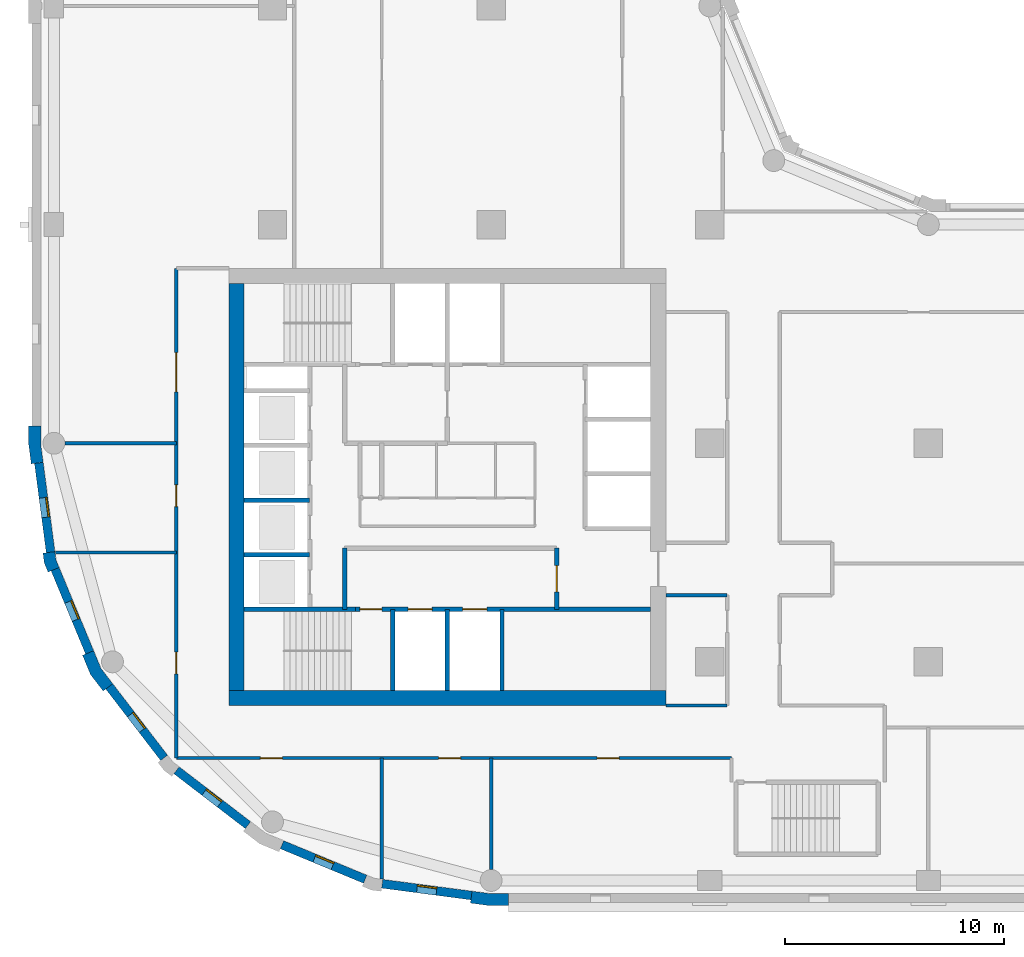
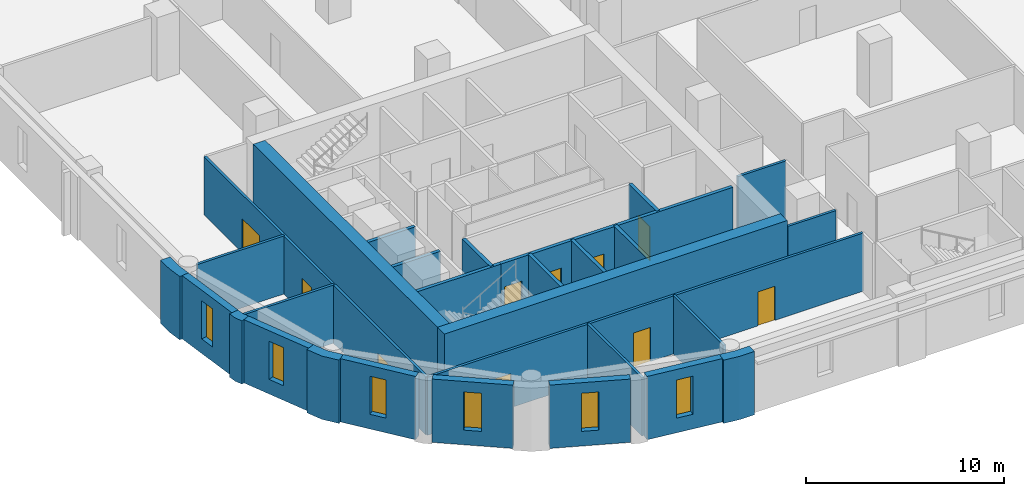
# One storey, part 2 of 9: 29 walls, 10 doors, 6 windows, 16 openings.
"""IFC4 building model written with IfcOpenShell, lengths in metres."""

import ifcopenshell
import ifcopenshell.guid

model = None  # the IFC model being written
_history = None  # IfcOwnerHistory: only IFC2X3 demands one
_inside = {}  # id of a spatial element -> (the spatial element, [elements in it])
_under = {}  # id of a project, library or spatial element -> (it, [spatial elements below it])
_declared = {}  # id of a project -> (the project, [libraries it declares])
_typed = {}  # id of a type object -> (the type object, [elements of that type])
_made_of = {}  # id of a material, layer set ... -> (it, [elements and type objects made of it])


def new_model(schema):
    """Start an empty IFC model of exactly this schema.

    Asked for "IFC4X3", IfcOpenShell would pick the latest addendum, in which some entities
    have other attributes; the version numbers below select the first issue.
    IFC2X3 requires an IfcOwnerHistory on every rooted entity: one is made here for all.
    """
    global model, _history
    if schema == "IFC4X3":
        model = ifcopenshell.file(schema_version=(4, 3, 0, 0))
    else:
        model = ifcopenshell.file(schema=schema)
    _inside.clear()
    _under.clear()
    _declared.clear()
    _typed.clear()
    _made_of.clear()
    _history = None
    if model.schema == "IFC2X3":
        org = make("IfcOrganization", Name="unknown")
        user = make(
            "IfcPersonAndOrganization",
            ThePerson=make("IfcPerson", FamilyName="unknown"),
            TheOrganization=org,
        )
        app = make(
            "IfcApplication",
            ApplicationDeveloper=org,
            Version="unknown",
            ApplicationFullName="unknown",
            ApplicationIdentifier="unknown",
        )
        _history = make(
            "IfcOwnerHistory",
            OwningUser=user,
            OwningApplication=app,
            ChangeAction="ADDED",
            CreationDate=0,
        )
    return model


def make(cls, **values):
    """One entity of the class cls with the attributes given. An attribute that is None is left unset."""
    return model.create_entity(
        cls, **{name: value for name, value in values.items() if value is not None}
    )


def rooted(cls, **values):
    """An entity with a GlobalId (a new one), such as an element, a storey or a relation."""
    return make(cls, GlobalId=ifcopenshell.guid.new(), OwnerHistory=_history, **values)


def si_unit(unit_type, name, prefix=None):
    """IfcSIUnit, for example si_unit("LENGTHUNIT", "METRE", prefix="MILLI")."""
    return make("IfcSIUnit", UnitType=unit_type, Prefix=prefix, Name=name)


def assignment(units):
    """IfcUnitAssignment: the units of a project."""
    return None if units is None else make("IfcUnitAssignment", Units=units)


def point(xyz):
    """IfcCartesianPoint."""
    return None if xyz is None else make("IfcCartesianPoint", Coordinates=xyz)


def direction(xyz):
    """IfcDirection."""
    return None if xyz is None else make("IfcDirection", DirectionRatios=xyz)


def frame(location, z_axis=None, x_axis=None):
    """IfcAxis2Placement3D, a coordinate frame: its origin and axes. An axis left out is left unset."""
    return make(
        "IfcAxis2Placement3D",
        Location=point(location),
        Axis=direction(z_axis),
        RefDirection=direction(x_axis),
    )


def frame_2d(location, x_axis=None):
    """IfcAxis2Placement2D, a coordinate frame in the plane: its origin and x axis."""
    return make(
        "IfcAxis2Placement2D", Location=point(location), RefDirection=direction(x_axis)
    )


def origin():
    """The frame at (0, 0, 0) with its axes left unset."""
    return frame((0.0, 0.0, 0.0))


def place(relative_to, where):
    """IfcLocalPlacement: puts the frame where relative to a parent placement (None: the world)."""
    return make(
        "IfcLocalPlacement", PlacementRelTo=relative_to, RelativePlacement=where
    )


def context(
    kind, dimensions, precision=None, world=None, true_north=None, identifier=None
):
    """IfcGeometricRepresentationContext, for example the 3D "Model" context."""
    return make(
        "IfcGeometricRepresentationContext",
        ContextIdentifier=identifier,
        ContextType=kind,
        CoordinateSpaceDimension=dimensions,
        Precision=precision,
        WorldCoordinateSystem=world,
        TrueNorth=true_north,
    )


def subcontext(parent, identifier, kind, view, scale=None):
    """IfcGeometricRepresentationSubContext, for example "Body" below "Model"."""
    return make(
        "IfcGeometricRepresentationSubContext",
        ContextIdentifier=identifier,
        ContextType=kind,
        ParentContext=parent,
        TargetScale=scale,
        TargetView=view,
    )


def project(units=None, contexts=None):
    """IfcProject with its units and contexts."""
    return rooted(
        "IfcProject",
        Name="project",
        RepresentationContexts=contexts,
        UnitsInContext=assignment(units),
    )


def spatial(cls, under=None, at=None, **own):
    """A site, building, storey or space (cls), placed at a placement, below another one or the project."""
    s = rooted(cls, ObjectPlacement=at, **own)
    if under is not None:
        _under.setdefault(under.id(), (under, []))[1].append(s)
    return s


def polyline(points):
    """IfcPolyline through the points."""
    return make("IfcPolyline", Points=[point(p) for p in points])


def profile(cls, at=None, kind="AREA", **sizes):
    """A parametric profile (cls). Its sizes go by their IFC names, for example OverallWidth=200.0."""
    return make(cls, ProfileType=kind, Position=at, **sizes)


def rectangle(**sizes):
    """IfcRectangleProfileDef."""
    return profile("IfcRectangleProfileDef", **sizes)


def outline(outer, holes=None, kind="AREA"):
    """IfcArbitraryClosedProfileDef: a profile drawn as a closed curve; with holes, ...WithVoids."""
    if holes is None:
        return make("IfcArbitraryClosedProfileDef", ProfileType=kind, OuterCurve=outer)
    return make(
        "IfcArbitraryProfileDefWithVoids",
        ProfileType=kind,
        OuterCurve=outer,
        InnerCurves=holes,
    )


def extrude(swept, where, along, depth):
    """IfcExtrudedAreaSolid: the profile swept, set in the frame where, extruded along a direction by depth."""
    return make(
        "IfcExtrudedAreaSolid",
        SweptArea=swept,
        Position=where,
        ExtrudedDirection=direction(along),
        Depth=depth,
    )


def shape(context_of_items, identifier, shape_type, items):
    """IfcShapeRepresentation: the items that make up one representation, for example the "Body"."""
    return make(
        "IfcShapeRepresentation",
        ContextOfItems=context_of_items,
        RepresentationIdentifier=identifier,
        RepresentationType=shape_type,
        Items=items,
    )


def material(Name=None, Category=None):
    """IfcMaterial."""
    return make("IfcMaterial", Name=Name, Category=Category)


def layer(
    of_material, thickness, ventilated=None, Name=None, Category=None, Priority=None
):
    """IfcMaterialLayer: one layer of a wall or slab, of a material (None: an air gap)."""
    return make(
        "IfcMaterialLayer",
        Material=of_material,
        LayerThickness=thickness,
        IsVentilated=ventilated,
        Name=Name,
        Category=Category,
        Priority=Priority,
    )


def layer_set(layers, Name=None):
    """IfcMaterialLayerSet."""
    return make("IfcMaterialLayerSet", MaterialLayers=layers, LayerSetName=Name)


def made_of(thing, what):
    """Note that an element or type object is made of a material, layer set ...; save() writes the relation."""
    if what is not None:
        _made_of.setdefault(what.id(), (what, []))[1].append(thing)
    return thing


def type_object(cls, material=None, **own):
    """A type object (cls), such as IfcWallType, which elements share."""
    return made_of(rooted(cls, **own), material)


def element(
    cls,
    number,
    at=None,
    inside=None,
    cuts=None,
    type_object=None,
    material=None,
    context=None,
    identifier="Body",
    shape_type=None,
    held_by="IfcProductDefinitionShape",
    body=None,
    shapes=None,
    **own,
):
    """One element of the class cls, such as IfcWall. Its Tag is "e" and its number.

    at: its placement. inside: the storey or other place that contains it. cuts: it is an
    opening in that element (IfcRelVoidsElement). A single representation is given by context,
    identifier, shape_type and body (its items); several are given by shapes. held_by: the class
    of the entity that holds the representations. save() writes the other relations.
    """
    e = rooted(cls, Tag="e%d" % number, ObjectPlacement=at, **own)
    if body is not None:
        shapes = [shape(context, identifier, shape_type, body)]
    if shapes is not None:
        e.Representation = make(held_by, Representations=shapes)
    if inside is not None:
        _inside.setdefault(inside.id(), (inside, []))[1].append(e)
    if cuts is not None:
        rooted(
            "IfcRelVoidsElement", RelatingBuildingElement=cuts, RelatedOpeningElement=e
        )
    if type_object is not None:
        _typed.setdefault(type_object.id(), (type_object, []))[1].append(e)
    return made_of(e, material)


def fill(opening, filler):
    """IfcRelFillsElement: the door or window that sits in an opening."""
    return rooted(
        "IfcRelFillsElement",
        RelatingOpeningElement=opening,
        RelatedBuildingElement=filler,
    )


def aggregate(whole, parts):
    """IfcRelAggregates: a whole, such as a stair, and the parts it consists of."""
    return rooted("IfcRelAggregates", RelatingObject=whole, RelatedObjects=parts)


def save(model, path):
    """Write the relations noted so far, then the file.

    IfcRelAggregates (storeys below a building ...), IfcRelContainedInSpatialStructure (elements
    in a storey), IfcRelDefinesByType, IfcRelAssociatesMaterial and IfcRelDeclares: one each for
    every whole, place, type object, material and project.
    """
    for whole, parts in _under.values():
        aggregate(whole, parts)
    for where, things in _inside.values():
        rooted(
            "IfcRelContainedInSpatialStructure",
            RelatedElements=things,
            RelatingStructure=where,
        )
    for kind, things in _typed.values():
        rooted("IfcRelDefinesByType", RelatedObjects=things, RelatingType=kind)
    for what, things in _made_of.values():
        rooted("IfcRelAssociatesMaterial", RelatedObjects=things, RelatingMaterial=what)
    for by, libraries in _declared.values():
        rooted("IfcRelDeclares", RelatingContext=by, RelatedDefinitions=libraries)
    model.write(path)


model = new_model("IFC4")

# Units and contexts
model_context = context("Model", 3, precision=1e-05, world=origin(), true_north=direction((0.0, 1.0)))
body_context = subcontext(model_context, "Body", "Model", "MODEL_VIEW")
ifc_project = project(units=[si_unit("LENGTHUNIT", "METRE"), si_unit("AREAUNIT", "SQUARE_METRE"), si_unit("VOLUMEUNIT", "CUBIC_METRE"), si_unit("PLANEANGLEUNIT", "RADIAN"), si_unit("MASSUNIT", "GRAM", prefix="KILO")], contexts=[model_context])

# Site, building, storey
site_placement = place(None, origin())
site = spatial("IfcSite", under=ifc_project, at=site_placement, CompositionType="ELEMENT")
building_placement = place(site_placement, origin())
building = spatial("IfcBuilding", under=site, at=building_placement, Name="Qaws Garden Tower", CompositionType="ELEMENT")
storey_placement = place(building_placement, frame((0.0, 0.0, 135.60009765625)))
storey = spatial("IfcBuildingStorey", under=building, at=storey_placement, Name="L32", CompositionType="ELEMENT", Elevation=135.60009765625)

# Wall, opening, window
ifc_material_1 = material(Name="Clay facing brick masonry", Category="masonry")
ifc_layer_1 = layer(ifc_material_1, 0.39990234375)
ifc_layer_set_1 = layer_set([ifc_layer_1], Name="Clay facing brick masonry")
wall_type_1 = type_object("IfcWallType", Name="Brick infill wall 400", PredefinedType="SOLIDWALL", material=ifc_layer_set_1)
wall_1_placement = place(storey_placement, frame((-0.688720703125, 19.102294921875, 0.0), z_axis=(0.0, 0.0, 1.0), x_axis=(0.130514280502, -0.991446429508, 0.0)))
wall_1 = element("IfcWall", 1, at=wall_1_placement, inside=storey, type_object=wall_type_1, Name="E-L32-infill-25", PredefinedType="SOLIDWALL", context=body_context, shape_type="SweptSolid", body=[
    extrude(rectangle(XDim=4.120849609375, YDim=0.39990234375, at=frame_2d((2.060546875, 0.0))), origin(), (0.0, 0.0, 1.0), 3.89990234375),
])
opening_1_placement = place(wall_1_placement, frame((1.610595703125, 0.0, 0.89990234375)))
opening_1 = element("IfcOpeningElement", 2, at=opening_1_placement, cuts=wall_1, Name="Opening W09", PredefinedType="OPENING", context=body_context, shape_type="SweptSolid", body=[
    extrude(rectangle(XDim=0.89990234375, YDim=2.35009765625, at=frame_2d((0.449951171875, 1.175048828125))), frame((0.0, 0.2099609375, 0.0), z_axis=(0.0, -1.0, 0.0), x_axis=(1.0, 0.0, 0.0)), (0.0, 0.0, 1.0), 0.419921875),
])
ifc_material_2 = material(Name="Aluminium framed window, clear glazing", Category="aluminium")
window_type = type_object("IfcWindowType", Name="Slit window 900 x 2350", PartitioningType="SINGLE_PANEL", PredefinedType="WINDOW", material=ifc_material_2)
window_1_placement = place(opening_1_placement, origin())
window_1 = element("IfcWindow", 3, at=window_1_placement, inside=storey, type_object=window_type, Name="E-L32-window-25-0", OverallHeight=2.35009765625, OverallWidth=0.89990234375, PartitioningType="SINGLE_PANEL", PredefinedType="WINDOW", context=body_context, shape_type="SweptSolid", body=[
    extrude(rectangle(XDim=0.89990234375, YDim=2.35009765625, at=frame_2d((0.449951171875, 1.175048828125))), frame((0.0, 0.159912109375, 0.0), z_axis=(0.0, -1.0, 0.0), x_axis=(1.0, 0.0, 0.0)), (0.0, 0.0, 1.0), 0.06005859375),
])
fill(opening_1, window_1)

wall_2_placement = place(storey_placement, frame((0.05712890625, 14.240234375, 0.0), z_axis=(0.0, 0.0, 1.0), x_axis=(0.382721546029, -0.923863744394, 0.0)))
wall_2 = element("IfcWall", 4, at=wall_2_placement, inside=storey, type_object=wall_type_1, Name="E-L32-infill-26", PredefinedType="SOLIDWALL", context=body_context, shape_type="SweptSolid", body=[
    extrude(rectangle(XDim=4.120849609375, YDim=0.39990234375, at=frame_2d((2.060546875, 0.0))), origin(), (0.0, 0.0, 1.0), 3.89990234375),
])
opening_2_placement = place(wall_2_placement, frame((1.610595703125, 0.0, 0.89990234375)))
opening_2 = element("IfcOpeningElement", 5, at=opening_2_placement, cuts=wall_2, Name="Opening W09", PredefinedType="OPENING", context=body_context, shape_type="SweptSolid", body=[
    extrude(rectangle(XDim=0.89990234375, YDim=2.35009765625, at=frame_2d((0.449951171875, 1.175048828125))), frame((0.0, 0.2099609375, 0.0), z_axis=(0.0, -1.0, 0.0), x_axis=(1.0, 0.0, 0.0)), (0.0, 0.0, 1.0), 0.419921875),
])
window_2_placement = place(opening_2_placement, origin())
window_2 = element("IfcWindow", 6, at=window_2_placement, inside=storey, type_object=window_type, Name="E-L32-window-26-0", OverallHeight=2.35009765625, OverallWidth=0.89990234375, PartitioningType="SINGLE_PANEL", PredefinedType="WINDOW", context=body_context, shape_type="SweptSolid", body=[
    extrude(rectangle(XDim=0.89990234375, YDim=2.35009765625, at=frame_2d((0.449951171875, 1.175048828125))), frame((0.0, 0.159912109375, 0.0), z_axis=(0.0, -1.0, 0.0), x_axis=(1.0, 0.0, 0.0)), (0.0, 0.0, 1.0), 0.06005859375),
])
fill(opening_2, window_2)

wall_3_placement = place(storey_placement, frame((2.53173828125, 8.87841796875, 0.0), z_axis=(0.0, 0.0, 1.0), x_axis=(0.608759824817, -0.793354571229, 0.0)))
wall_3 = element("IfcWall", 7, at=wall_3_placement, inside=storey, type_object=wall_type_1, Name="E-L32-infill-27", PredefinedType="SOLIDWALL", context=body_context, shape_type="SweptSolid", body=[
    extrude(rectangle(XDim=4.12109375, YDim=0.39990234375, at=frame_2d((2.060546875, 0.0))), origin(), (0.0, 0.0, 1.0), 3.89990234375),
])
opening_3_placement = place(wall_3_placement, frame((1.610595703125, 0.0, 0.89990234375)))
opening_3 = element("IfcOpeningElement", 8, at=opening_3_placement, cuts=wall_3, Name="Opening W09", PredefinedType="OPENING", context=body_context, shape_type="SweptSolid", body=[
    extrude(rectangle(XDim=0.89990234375, YDim=2.35009765625, at=frame_2d((0.449951171875, 1.175048828125))), frame((0.0, 0.2099609375, 0.0), z_axis=(0.0, -1.0, 0.0), x_axis=(1.0, 0.0, 0.0)), (0.0, 0.0, 1.0), 0.419921875),
])
window_3_placement = place(opening_3_placement, origin())
window_3 = element("IfcWindow", 9, at=window_3_placement, inside=storey, type_object=window_type, Name="E-L32-window-27-0", OverallHeight=2.35009765625, OverallWidth=0.89990234375, PartitioningType="SINGLE_PANEL", PredefinedType="WINDOW", context=body_context, shape_type="SweptSolid", body=[
    extrude(rectangle(XDim=0.89990234375, YDim=2.35009765625, at=frame_2d((0.449951171875, 1.175048828125))), frame((0.0, 0.159912109375, 0.0), z_axis=(0.0, -1.0, 0.0), x_axis=(1.0, 0.0, 0.0)), (0.0, 0.0, 1.0), 0.06005859375),
])
fill(opening_3, window_3)

wall_4_placement = place(storey_placement, frame((5.60888671875, 5.04052734375, 0.0), z_axis=(0.0, 0.0, 1.0), x_axis=(0.793354571229, -0.608759824817, 0.0)))
wall_4 = element("IfcWall", 10, at=wall_4_placement, inside=storey, type_object=wall_type_1, Name="E-L32-infill-28", PredefinedType="SOLIDWALL", context=body_context, shape_type="SweptSolid", body=[
    extrude(rectangle(XDim=4.12109375, YDim=0.39990234375, at=frame_2d((2.060546875, 0.0))), origin(), (0.0, 0.0, 1.0), 3.89990234375),
])
opening_4_placement = place(wall_4_placement, frame((1.610595703125, 0.0, 0.89990234375)))
opening_4 = element("IfcOpeningElement", 11, at=opening_4_placement, cuts=wall_4, Name="Opening W09", PredefinedType="OPENING", context=body_context, shape_type="SweptSolid", body=[
    extrude(rectangle(XDim=0.89990234375, YDim=2.35009765625, at=frame_2d((0.449951171875, 1.175048828125))), frame((0.0, 0.2099609375, 0.0), z_axis=(0.0, -1.0, 0.0), x_axis=(1.0, 0.0, 0.0)), (0.0, 0.0, 1.0), 0.419921875),
])
window_4_placement = place(opening_4_placement, origin())
window_4 = element("IfcWindow", 12, at=window_4_placement, inside=storey, type_object=window_type, Name="E-L32-window-28-0", OverallHeight=2.35009765625, OverallWidth=0.89990234375, PartitioningType="SINGLE_PANEL", PredefinedType="WINDOW", context=body_context, shape_type="SweptSolid", body=[
    extrude(rectangle(XDim=0.89990234375, YDim=2.35009765625, at=frame_2d((0.449951171875, 1.175048828125))), frame((0.0, 0.159912109375, 0.0), z_axis=(0.0, -1.0, 0.0), x_axis=(1.0, 0.0, 0.0)), (0.0, 0.0, 1.0), 0.06005859375),
])
fill(opening_4, window_4)

wall_5_placement = place(storey_placement, frame((10.43310546875, 1.63427734375, 0.0), z_axis=(0.0, 0.0, 1.0), x_axis=(0.923863744394, -0.382721546029, 0.0)))
wall_5 = element("IfcWall", 13, at=wall_5_placement, inside=storey, type_object=wall_type_1, Name="E-L32-infill-29", PredefinedType="SOLIDWALL", context=body_context, shape_type="SweptSolid", body=[
    extrude(rectangle(XDim=4.120849609375, YDim=0.39990234375, at=frame_2d((2.060546875, 0.0))), origin(), (0.0, 0.0, 1.0), 3.89990234375),
])
opening_5_placement = place(wall_5_placement, frame((1.610595703125, 0.0, 0.89990234375)))
opening_5 = element("IfcOpeningElement", 14, at=opening_5_placement, cuts=wall_5, Name="Opening W09", PredefinedType="OPENING", context=body_context, shape_type="SweptSolid", body=[
    extrude(rectangle(XDim=0.89990234375, YDim=2.35009765625, at=frame_2d((0.449951171875, 1.175048828125))), frame((0.0, 0.2099609375, 0.0), z_axis=(0.0, -1.0, 0.0), x_axis=(1.0, 0.0, 0.0)), (0.0, 0.0, 1.0), 0.419921875),
])
window_5_placement = place(opening_5_placement, origin())
window_5 = element("IfcWindow", 15, at=window_5_placement, inside=storey, type_object=window_type, Name="E-L32-window-29-0", OverallHeight=2.35009765625, OverallWidth=0.89990234375, PartitioningType="SINGLE_PANEL", PredefinedType="WINDOW", context=body_context, shape_type="SweptSolid", body=[
    extrude(rectangle(XDim=0.89990234375, YDim=2.35009765625, at=frame_2d((0.449951171875, 1.175048828125))), frame((0.0, 0.159912109375, 0.0), z_axis=(0.0, -1.0, 0.0), x_axis=(1.0, 0.0, 0.0)), (0.0, 0.0, 1.0), 0.06005859375),
])
fill(opening_5, window_5)

wall_6_placement = place(storey_placement, frame((15.0166015625, -0.15087890625, 0.0), z_axis=(0.0, 0.0, 1.0), x_axis=(0.991446429508, -0.130514280502, 0.0)))
wall_6 = element("IfcWall", 16, at=wall_6_placement, inside=storey, type_object=wall_type_1, Name="E-L32-infill-30", PredefinedType="SOLIDWALL", context=body_context, shape_type="SweptSolid", body=[
    extrude(rectangle(XDim=4.120849609375, YDim=0.39990234375, at=frame_2d((2.060546875, 0.0))), origin(), (0.0, 0.0, 1.0), 3.89990234375),
])
opening_6_placement = place(wall_6_placement, frame((1.610595703125, 0.0, 0.89990234375)))
opening_6 = element("IfcOpeningElement", 17, at=opening_6_placement, cuts=wall_6, Name="Opening W09", PredefinedType="OPENING", context=body_context, shape_type="SweptSolid", body=[
    extrude(rectangle(XDim=0.89990234375, YDim=2.35009765625, at=frame_2d((0.449951171875, 1.175048828125))), frame((0.0, 0.2099609375, 0.0), z_axis=(0.0, -1.0, 0.0), x_axis=(1.0, 0.0, 0.0)), (0.0, 0.0, 1.0), 0.419921875),
])
window_6_placement = place(opening_6_placement, origin())
window_6 = element("IfcWindow", 18, at=window_6_placement, inside=storey, type_object=window_type, Name="E-L32-window-30-0", OverallHeight=2.35009765625, OverallWidth=0.89990234375, PartitioningType="SINGLE_PANEL", PredefinedType="WINDOW", context=body_context, shape_type="SweptSolid", body=[
    extrude(rectangle(XDim=0.89990234375, YDim=2.35009765625, at=frame_2d((0.449951171875, 1.175048828125))), frame((0.0, 0.159912109375, 0.0), z_axis=(0.0, -1.0, 0.0), x_axis=(1.0, 0.0, 0.0)), (0.0, 0.0, 1.0), 0.06005859375),
])
fill(opening_6, window_6)

# Walls
ifc_material_3 = material(Name="Clay facing brick masonry", Category="masonry")
ifc_layer_2 = layer(ifc_material_3, 0.550048828125)
ifc_layer_set_2 = layer_set([ifc_layer_2], Name="Clay facing brick masonry")
wall_type_2 = type_object("IfcWallType", Name="Brick kink pier 550 x 600", PredefinedType="SOLIDWALL", material=ifc_layer_set_2)
placement = place(storey_placement, origin())
element("IfcWall", 19, at=placement, inside=storey, type_object=wall_type_2, Name="E-L32-pier-26", PredefinedType="SOLIDWALL", context=body_context, shape_type="SweptSolid", body=[
    extrude(outline(polyline([(-0.34912109375, 14.990478515625), (-0.497802734375, 14.970947265625), (-0.43896484375, 14.5234375), (-0.26611328125, 14.1064453125), (-0.127685546875, 14.163818359375), (0.241943359375, 14.31689453125), (0.096923828125, 14.6669921875), (0.04736328125, 15.042724609375), (-0.34912109375, 14.990478515625)])), origin(), (0.0, 0.0, 1.0), 3.89990234375),
])
ifc_material_4 = material(Name="Clay facing brick masonry", Category="masonry")
ifc_layer_3 = layer(ifc_material_4, 0.550048828125)
ifc_layer_set_3 = layer_set([ifc_layer_3], Name="Clay facing brick masonry")
wall_type_3 = type_object("IfcWallType", Name="Brick pier 550 x 1600", PredefinedType="SOLIDWALL", material=ifc_layer_set_3)
element("IfcWall", 20, at=placement, inside=storey, type_object=wall_type_3, Name="E-L32-pier-00", PredefinedType="SOLIDWALL", context=body_context, shape_type="SweptSolid", body=[
    extrude(outline(polyline([(19.076416015625, -0.886962890625), (19.056640625, -1.03564453125), (19.924560546875, -1.14990234375), (20.800048828125, -1.14990234375), (20.800048828125, -1.0), (20.800048828125, -0.60009765625), (19.960693359375, -0.60009765625), (19.12841796875, -0.490478515625), (19.076416015625, -0.886962890625)])), origin(), (0.0, 0.0, 1.0), 3.89990234375),
])
element("IfcWall", 21, at=placement, inside=storey, type_object=wall_type_3, Name="E-L32-pier-25", PredefinedType="SOLIDWALL", context=body_context, shape_type="SweptSolid", body=[
    extrude(outline(polyline([(-1.0, 20.800048828125), (-1.14990234375, 20.800048828125), (-1.14990234375, 19.924560546875), (-1.03564453125, 19.056640625), (-0.886962890625, 19.076416015625), (-0.490478515625, 19.12841796875), (-0.60009765625, 19.960693359375), (-0.60009765625, 20.800048828125), (-1.0, 20.800048828125)])), origin(), (0.0, 0.0, 1.0), 3.89990234375),
])
element("IfcWall", 22, at=placement, inside=storey, type_object=wall_type_3, Name="E-L32-pier-27", PredefinedType="SOLIDWALL", context=body_context, shape_type="SweptSolid", body=[
    extrude(outline(polyline([(1.449462890625, 10.3564453125), (1.310791015625, 10.299072265625), (1.675048828125, 9.419921875), (2.254150390625, 8.665283203125), (2.373046875, 8.756591796875), (2.6904296875, 9.0), (2.1552734375, 9.697509765625), (1.819091796875, 10.509521484375), (1.449462890625, 10.3564453125)])), origin(), (0.0, 0.0, 1.0), 3.89990234375),
])
ifc_material_5 = material(Name="Concrete C70", Category="concrete")
ifc_layer_4 = layer(ifc_material_5, 0.199951171875)
ifc_layer_set_4 = layer_set([ifc_layer_4], Name="Concrete C70")
wall_type_4 = type_object("IfcWallType", Name="Core shaft wall 200 C70", PredefinedType="SHEAR", material=ifc_layer_set_4)
wall_11_placement = place(storey_placement, frame((8.699951171875, 12.39990234375, 0.0), z_axis=(0.0, 0.0, 1.0), x_axis=(1.0, 0.0, 0.0)))
element("IfcWall", 23, at=wall_11_placement, inside=storey, type_object=wall_type_4, Name="Shaft wall", PredefinedType="SHEAR", context=body_context, shape_type="SweptSolid", body=[
    extrude(rectangle(XDim=5.10009765625, YDim=0.199951171875, at=frame_2d((2.550048828125, 0.0))), origin(), (0.0, 0.0, 1.0), 3.579833984375),
])

# Wall, openings, doors
wall_12_placement = place(storey_placement, frame((13.800048828125, 12.39990234375, 0.0), z_axis=(0.0, 0.0, 1.0), x_axis=(1.0, 0.0, 0.0)))
wall_12 = element("IfcWall", 24, at=wall_12_placement, inside=storey, type_object=wall_type_4, Name="Shaft wall", PredefinedType="SHEAR", context=body_context, shape_type="SweptSolid", body=[
    extrude(rectangle(XDim=13.5, YDim=0.199951171875, at=frame_2d((6.75, 0.0))), origin(), (0.0, 0.0, 1.0), 3.579833984375),
])
opening_7_placement = place(wall_12_placement, frame((2.39990234375, 0.0, 0.0)))
opening_7 = element("IfcOpeningElement", 25, at=opening_7_placement, cuts=wall_12, Name="Opening LD06", PredefinedType="OPENING", context=body_context, shape_type="SweptSolid", body=[
    extrude(rectangle(XDim=1.10009765625, YDim=2.10009765625, at=frame_2d((0.550048828125, 1.050048828125))), frame((0.0, 0.10986328125, 0.0), z_axis=(0.0, -1.0, 0.0), x_axis=(1.0, 0.0, 0.0)), (0.0, 0.0, 1.0), 0.219970703125),
])
opening_8_placement = place(wall_12_placement, frame((4.89990234375, 0.0, 0.0)))
opening_8 = element("IfcOpeningElement", 26, at=opening_8_placement, cuts=wall_12, Name="Opening LD07", PredefinedType="OPENING", context=body_context, shape_type="SweptSolid", body=[
    extrude(rectangle(XDim=1.10009765625, YDim=2.10009765625, at=frame_2d((0.550048828125, 1.050048828125))), frame((0.0, 0.10986328125, 0.0), z_axis=(0.0, -1.0, 0.0), x_axis=(1.0, 0.0, 0.0)), (0.0, 0.0, 1.0), 0.219970703125),
])
opening_9_placement = place(wall_12_placement, frame((0.199951171875, 0.0, 0.0)))
opening_9 = element("IfcOpeningElement", 27, at=opening_9_placement, cuts=wall_12, Name="Opening SD10", PredefinedType="OPENING", context=body_context, shape_type="SweptSolid", body=[
    extrude(rectangle(XDim=1.0, YDim=2.10009765625, at=frame_2d((0.5, 1.050048828125))), frame((0.0, 0.10986328125, 0.0), z_axis=(0.0, -1.0, 0.0), x_axis=(1.0, 0.0, 0.0)), (0.0, 0.0, 1.0), 0.219970703125),
])
ifc_material_6 = material(Name="Steel S235", Category="steel")
door_type_1 = type_object("IfcDoorType", Name="Landing door 1100x2100", OperationType="DOUBLE_DOOR_SLIDING", PredefinedType="DOOR", material=ifc_material_6)
door_1_placement = place(opening_7_placement, origin())
door_1 = element("IfcDoor", 28, at=door_1_placement, inside=storey, type_object=door_type_1, Name="Lift FF1 landing door", OperationType="DOUBLE_DOOR_SLIDING", OverallHeight=2.10009765625, OverallWidth=1.10009765625, PredefinedType="DOOR", context=body_context, shape_type="SweptSolid", body=[
    extrude(rectangle(XDim=1.10009765625, YDim=2.10009765625, at=frame_2d((0.550048828125, 1.050048828125))), frame((0.0, 0.02490234375, 0.0), z_axis=(0.0, -1.0, 0.0), x_axis=(1.0, 0.0, 0.0)), (0.0, 0.0, 1.0), 0.050048828125),
])
fill(opening_7, door_1)
door_2_placement = place(opening_8_placement, origin())
door_2 = element("IfcDoor", 29, at=door_2_placement, inside=storey, type_object=door_type_1, Name="Lift FF2 landing door", OperationType="DOUBLE_DOOR_SLIDING", OverallHeight=2.10009765625, OverallWidth=1.10009765625, PredefinedType="DOOR", context=body_context, shape_type="SweptSolid", body=[
    extrude(rectangle(XDim=1.10009765625, YDim=2.10009765625, at=frame_2d((0.550048828125, 1.050048828125))), frame((0.0, 0.02490234375, 0.0), z_axis=(0.0, -1.0, 0.0), x_axis=(1.0, 0.0, 0.0)), (0.0, 0.0, 1.0), 0.050048828125),
])
fill(opening_8, door_2)
ifc_material_7 = material(Name="Steel S235", Category="steel")
door_type_2 = type_object("IfcDoorType", Name="Stair door 1000x2100", OperationType="SINGLE_SWING_RIGHT", PredefinedType="DOOR", material=ifc_material_7)
door_3_placement = place(opening_9_placement, frame((1.0, 0.0, 0.0), z_axis=(0.0, 0.0, 1.0), x_axis=(-1.0, 0.0, 0.0)))
door_3 = element("IfcDoor", 30, at=door_3_placement, inside=storey, type_object=door_type_2, Name="Stair 1 door", OperationType="SINGLE_SWING_LEFT", OverallHeight=2.10009765625, OverallWidth=1.0, PredefinedType="DOOR", context=body_context, shape_type="SweptSolid", body=[
    extrude(rectangle(XDim=1.0, YDim=2.10009765625, at=frame_2d((0.5, 1.050048828125))), frame((0.0, 0.02490234375, 0.0), z_axis=(0.0, -1.0, 0.0), x_axis=(1.0, 0.0, 0.0)), (0.0, 0.0, 1.0), 0.050048828125),
])
fill(opening_9, door_3)

# Walls
for number, where, z_axis, x_axis, name in (
    (31, (8.699951171875, 14.89990234375, 0.0), (0.0, 0.0, 1.0), (1.0, 0.0, 0.0), "Shaft wall"),
    (32, (8.699951171875, 17.39990234375, 0.0), (0.0, 0.0, 1.0), (1.0, 0.0, 0.0), "Shaft wall"),
):
    element("IfcWall", number, at=place(storey_placement, frame(where, z_axis=z_axis, x_axis=x_axis)), inside=storey, type_object=wall_type_4, Name=name, PredefinedType="SHEAR", context=body_context, shape_type="SweptSolid", body=[
        extrude(rectangle(XDim=3.0, YDim=0.199951171875, at=frame_2d((1.5, 0.0))), origin(), (0.0, 0.0, 1.0), 3.579833984375),
    ])
wall_13_placement = place(storey_placement, frame((13.300048828125, 12.39990234375, 0.0), z_axis=(0.0, 0.0, 1.0), x_axis=(0.0, 1.0, 0.0)))
element("IfcWall", 33, at=wall_13_placement, inside=storey, type_object=wall_type_4, Name="Shaft wall", PredefinedType="SHEAR", context=body_context, shape_type="SweptSolid", body=[
    extrude(rectangle(XDim=2.800048828125, YDim=0.199951171875, at=frame_2d((1.39990234375, 0.0))), origin(), (0.0, 0.0, 1.0), 3.579833984375),
])
for number, where, z_axis, x_axis, name in (
    (34, (15.5, 8.699951171875, 0.0), (0.0, 0.0, 1.0), (0.0, 1.0, 0.0), "Shaft wall"),
    (35, (18.0, 8.699951171875, 0.0), (0.0, 0.0, 1.0), (0.0, 1.0, 0.0), "Shaft wall"),
    (36, (20.5, 8.699951171875, 0.0), (0.0, 0.0, 1.0), (0.0, 1.0, 0.0), "Shaft wall"),
):
    element("IfcWall", number, at=place(storey_placement, frame(where, z_axis=z_axis, x_axis=x_axis)), inside=storey, type_object=wall_type_4, Name=name, PredefinedType="SHEAR", context=body_context, shape_type="SweptSolid", body=[
        extrude(rectangle(XDim=3.699951171875, YDim=0.199951171875, at=frame_2d((1.85009765625, 0.0))), origin(), (0.0, 0.0, 1.0), 3.579833984375),
    ])

# Wall, opening, door
wall_14_placement = place(storey_placement, frame((23.0, 12.39990234375, 0.0), z_axis=(0.0, 0.0, 1.0), x_axis=(0.0, 1.0, 0.0)))
wall_14 = element("IfcWall", 37, at=wall_14_placement, inside=storey, type_object=wall_type_4, Name="Shaft wall", PredefinedType="SHEAR", context=body_context, shape_type="SweptSolid", body=[
    extrude(rectangle(XDim=2.800048828125, YDim=0.199951171875, at=frame_2d((1.39990234375, 0.0))), origin(), (0.0, 0.0, 1.0), 3.579833984375),
])
opening_10_placement = place(wall_14_placement, frame((0.800048828125, 0.0, 0.0)))
opening_10 = element("IfcOpeningElement", 38, at=opening_10_placement, cuts=wall_14, Name="Opening FD15", PredefinedType="OPENING", context=body_context, shape_type="SweptSolid", body=[
    extrude(rectangle(XDim=1.199951171875, YDim=2.10009765625, at=frame_2d((0.60009765625, 1.050048828125))), frame((0.0, 0.10986328125, 0.0), z_axis=(0.0, -1.0, 0.0), x_axis=(1.0, 0.0, 0.0)), (0.0, 0.0, 1.0), 0.219970703125),
])
ifc_material_8 = material(Name="Steel S235", Category="steel")
door_type_3 = type_object("IfcDoorType", Name="Lobby door 1200x2100", OperationType="DOUBLE_DOOR_SINGLE_SWING", PredefinedType="DOOR", material=ifc_material_8)
door_4_placement = place(opening_10_placement, origin())
door_4 = element("IfcDoor", 39, at=door_4_placement, inside=storey, type_object=door_type_3, Name="Fire-fighting lobby door", OperationType="DOUBLE_DOOR_SINGLE_SWING", OverallHeight=2.10009765625, OverallWidth=1.199951171875, PredefinedType="DOOR", context=body_context, shape_type="SweptSolid", body=[
    extrude(rectangle(XDim=1.199951171875, YDim=2.10009765625, at=frame_2d((0.60009765625, 1.050048828125))), frame((0.0, 0.02490234375, 0.0), z_axis=(0.0, -1.0, 0.0), x_axis=(1.0, 0.0, 0.0)), (0.0, 0.0, 1.0), 0.050048828125),
])
fill(opening_10, door_4)

# Walls
ifc_material_9 = material(Name="Concrete C70", Category="concrete")
ifc_layer_5 = layer(ifc_material_9, 0.699951171875)
ifc_layer_set_5 = layer_set([ifc_layer_5], Name="Concrete C70")
wall_type_5 = type_object("IfcWallType", Name="Core wall 700 C70", PredefinedType="SHEAR", material=ifc_layer_set_5)
wall_15_placement = place(storey_placement, frame((8.0, 8.35009765625, 0.0), z_axis=(0.0, 0.0, 1.0), x_axis=(1.0, 0.0, 0.0)))
element("IfcWall", 40, at=wall_15_placement, inside=storey, type_object=wall_type_5, Name="Core wall L32 south", PredefinedType="SHEAR", context=body_context, shape_type="SweptSolid", body=[
    extrude(rectangle(XDim=20.0, YDim=0.699951171875, at=frame_2d((10.0, 0.0))), origin(), (0.0, 0.0, 1.0), 3.89990234375),
])
wall_16_placement = place(storey_placement, frame((8.35009765625, 27.300048828125, 0.0), z_axis=(0.0, 0.0, 1.0), x_axis=(0.0, -1.0, 0.0)))
element("IfcWall", 41, at=wall_16_placement, inside=storey, type_object=wall_type_5, Name="Core wall L32 west", PredefinedType="SHEAR", context=body_context, shape_type="SweptSolid", body=[
    extrude(rectangle(XDim=18.60009765625, YDim=0.699951171875, at=frame_2d((9.300048828125, 0.0))), origin(), (0.0, 0.0, 1.0), 3.89990234375),
])

# Wall, openings, doors
ifc_material_10 = material(Name="Gypsum board partition")
ifc_layer_6 = layer(ifc_material_10, 0.14990234375)
ifc_layer_set_6 = layer_set([ifc_layer_6], Name="Gypsum board partition")
wall_type_6 = type_object("IfcWallType", Name="PARTITION 150 EI 60", PredefinedType="PARTITIONING", material=ifc_layer_set_6)
wall_17_placement = place(storey_placement, frame((5.60009765625, 5.60009765625, 0.0), z_axis=(0.0, 0.0, 1.0), x_axis=(0.0, 1.0, 0.0)))
wall_17 = element("IfcWall", 42, at=wall_17_placement, inside=storey, type_object=wall_type_6, Name="O-L32-wall-004", PredefinedType="PARTITIONING", context=body_context, shape_type="SweptSolid", body=[
    extrude(rectangle(XDim=22.39990234375, YDim=0.14990234375, at=frame_2d((11.199951171875, 0.0))), origin(), (0.0, 0.0, 1.0), 3.579833984375),
])
opening_11_placement = place(wall_17_placement, frame((3.85009765625, 0.0, 0.0)))
opening_11 = element("IfcOpeningElement", 43, at=opening_11_placement, cuts=wall_17, Name="Opening B101", PredefinedType="OPENING", context=body_context, shape_type="SweptSolid", body=[
    extrude(rectangle(XDim=1.0, YDim=2.10009765625, at=frame_2d((0.5, 1.050048828125))), frame((0.0, 0.0849609375, 0.0), z_axis=(0.0, -1.0, 0.0), x_axis=(1.0, 0.0, 0.0)), (0.0, 0.0, 1.0), 0.169921875),
])
opening_12_placement = place(wall_17_placement, frame((11.5, 0.0, 0.0)))
opening_12 = element("IfcOpeningElement", 44, at=opening_12_placement, cuts=wall_17, Name="Opening B102", PredefinedType="OPENING", context=body_context, shape_type="SweptSolid", body=[
    extrude(rectangle(XDim=1.0, YDim=2.10009765625, at=frame_2d((0.5, 1.050048828125))), frame((0.0, 0.0849609375, 0.0), z_axis=(0.0, -1.0, 0.0), x_axis=(1.0, 0.0, 0.0)), (0.0, 0.0, 1.0), 0.169921875),
])
opening_13_placement = place(wall_17_placement, frame((16.75, 0.0, 0.0)))
opening_13 = element("IfcOpeningElement", 45, at=opening_13_placement, cuts=wall_17, Name="Opening B106", PredefinedType="OPENING", context=body_context, shape_type="SweptSolid", body=[
    extrude(rectangle(XDim=1.800048828125, YDim=2.10009765625, at=frame_2d((0.89990234375, 1.050048828125))), frame((0.0, 0.0849609375, 0.0), z_axis=(0.0, -1.0, 0.0), x_axis=(1.0, 0.0, 0.0)), (0.0, 0.0, 1.0), 0.169921875),
])
ifc_material_11 = material(Name="Timber door leaf", Category="wood")
door_type_4 = type_object("IfcDoorType", Name="DOUBLE DOOR 1800 X 2100", OperationType="DOUBLE_DOOR_SINGLE_SWING", PredefinedType="DOOR", material=ifc_material_11)
door_5_placement = place(opening_13_placement, origin())
door_5 = element("IfcDoor", 46, at=door_5_placement, inside=storey, type_object=door_type_4, Name="O-L32-door-006", OperationType="DOUBLE_DOOR_SINGLE_SWING", OverallHeight=2.10009765625, OverallWidth=1.800048828125, PredefinedType="DOOR", context=body_context, shape_type="SweptSolid", body=[
    extrude(rectangle(XDim=1.800048828125, YDim=2.10009765625, at=frame_2d((0.89990234375, 1.050048828125))), frame((0.0, 0.02490234375, 0.0), z_axis=(0.0, -1.0, 0.0), x_axis=(1.0, 0.0, 0.0)), (0.0, 0.0, 1.0), 0.050048828125),
])
fill(opening_13, door_5)
ifc_material_12 = material(Name="Timber door leaf", Category="wood")
door_type_5 = type_object("IfcDoorType", Name="TENANCY ENTRANCE DOOR 1000 X 2100", OperationType="SINGLE_SWING_LEFT", PredefinedType="DOOR", material=ifc_material_12)
door_6_placement = place(opening_11_placement, origin())
door_6 = element("IfcDoor", 47, at=door_6_placement, inside=storey, type_object=door_type_5, Name="O-L32-door-001", OperationType="SINGLE_SWING_RIGHT", OverallHeight=2.10009765625, OverallWidth=1.0, PredefinedType="DOOR", context=body_context, shape_type="SweptSolid", body=[
    extrude(rectangle(XDim=1.0, YDim=2.10009765625, at=frame_2d((0.5, 1.050048828125))), frame((0.0, 0.02490234375, 0.0), z_axis=(0.0, -1.0, 0.0), x_axis=(1.0, 0.0, 0.0)), (0.0, 0.0, 1.0), 0.050048828125),
])
fill(opening_11, door_6)
door_7_placement = place(opening_12_placement, origin())
door_7 = element("IfcDoor", 48, at=door_7_placement, inside=storey, type_object=door_type_5, Name="O-L32-door-002", OperationType="SINGLE_SWING_RIGHT", OverallHeight=2.10009765625, OverallWidth=1.0, PredefinedType="DOOR", context=body_context, shape_type="SweptSolid", body=[
    extrude(rectangle(XDim=1.0, YDim=2.10009765625, at=frame_2d((0.5, 1.050048828125))), frame((0.0, 0.02490234375, 0.0), z_axis=(0.0, -1.0, 0.0), x_axis=(1.0, 0.0, 0.0)), (0.0, 0.0, 1.0), 0.050048828125),
])
fill(opening_12, door_7)

# Walls
wall_18_placement = place(storey_placement, frame((15.0, 0.06298828125, 0.0), z_axis=(0.0, 0.0, 1.0), x_axis=(0.0, 1.0, 0.0)))
element("IfcWall", 49, at=wall_18_placement, inside=storey, type_object=wall_type_6, Name="O-L32-wall-008", PredefinedType="PARTITIONING", context=body_context, shape_type="SweptSolid", body=[
    extrude(rectangle(XDim=5.537109375, YDim=0.14990234375, at=frame_2d((2.7685546875, 0.0))), origin(), (0.0, 0.0, 1.0), 3.579833984375),
])
wall_19_placement = place(storey_placement, frame((20.0, 0.5, 0.0), z_axis=(0.0, 0.0, 1.0), x_axis=(0.0, 1.0, 0.0)))
element("IfcWall", 50, at=wall_19_placement, inside=storey, type_object=wall_type_6, Name="O-L32-wall-011", PredefinedType="PARTITIONING", context=body_context, shape_type="SweptSolid", body=[
    extrude(rectangle(XDim=5.10009765625, YDim=0.14990234375, at=frame_2d((2.550048828125, 0.0))), origin(), (0.0, 0.0, 1.0), 3.579833984375),
])

# Wall, openings, doors
wall_20_placement = place(storey_placement, frame((5.60009765625, 5.60009765625, 0.0), z_axis=(0.0, 0.0, 1.0), x_axis=(1.0, 0.0, 0.0)))
wall_20 = element("IfcWall", 51, at=wall_20_placement, inside=storey, type_object=wall_type_6, Name="O-L32-wall-025", PredefinedType="PARTITIONING", context=body_context, shape_type="SweptSolid", body=[
    extrude(rectangle(XDim=25.39990234375, YDim=0.14990234375, at=frame_2d((12.699951171875, 0.0))), origin(), (0.0, 0.0, 1.0), 3.579833984375),
])
opening_14_placement = place(wall_20_placement, frame((3.85009765625, 0.0, 0.0)))
opening_14 = element("IfcOpeningElement", 52, at=opening_14_placement, cuts=wall_20, Name="Opening B111", PredefinedType="OPENING", context=body_context, shape_type="SweptSolid", body=[
    extrude(rectangle(XDim=1.0, YDim=2.10009765625, at=frame_2d((0.5, 1.050048828125))), frame((0.0, 0.0849609375, 0.0), z_axis=(0.0, -1.0, 0.0), x_axis=(1.0, 0.0, 0.0)), (0.0, 0.0, 1.0), 0.169921875),
])
opening_15_placement = place(wall_20_placement, frame((12.0, 0.0, 0.0)))
opening_15 = element("IfcOpeningElement", 53, at=opening_15_placement, cuts=wall_20, Name="Opening B112", PredefinedType="OPENING", context=body_context, shape_type="SweptSolid", body=[
    extrude(rectangle(XDim=1.0, YDim=2.10009765625, at=frame_2d((0.5, 1.050048828125))), frame((0.0, 0.0849609375, 0.0), z_axis=(0.0, -1.0, 0.0), x_axis=(1.0, 0.0, 0.0)), (0.0, 0.0, 1.0), 0.169921875),
])
opening_16_placement = place(wall_20_placement, frame((19.25, 0.0, 0.0)))
opening_16 = element("IfcOpeningElement", 54, at=opening_16_placement, cuts=wall_20, Name="Opening B113", PredefinedType="OPENING", context=body_context, shape_type="SweptSolid", body=[
    extrude(rectangle(XDim=1.0, YDim=2.10009765625, at=frame_2d((0.5, 1.050048828125))), frame((0.0, 0.0849609375, 0.0), z_axis=(0.0, -1.0, 0.0), x_axis=(1.0, 0.0, 0.0)), (0.0, 0.0, 1.0), 0.169921875),
])
door_8_placement = place(opening_14_placement, frame((1.0, 0.0, 0.0), z_axis=(0.0, 0.0, 1.0), x_axis=(-1.0, 0.0, 0.0)))
door_8 = element("IfcDoor", 55, at=door_8_placement, inside=storey, type_object=door_type_5, Name="O-L32-door-011", OperationType="SINGLE_SWING_LEFT", OverallHeight=2.10009765625, OverallWidth=1.0, PredefinedType="DOOR", context=body_context, shape_type="SweptSolid", body=[
    extrude(rectangle(XDim=1.0, YDim=2.10009765625, at=frame_2d((0.5, 1.050048828125))), frame((0.0, 0.02490234375, 0.0), z_axis=(0.0, -1.0, 0.0), x_axis=(1.0, 0.0, 0.0)), (0.0, 0.0, 1.0), 0.050048828125),
])
fill(opening_14, door_8)
door_9_placement = place(opening_15_placement, frame((1.0, 0.0, 0.0), z_axis=(0.0, 0.0, 1.0), x_axis=(-1.0, 0.0, 0.0)))
door_9 = element("IfcDoor", 56, at=door_9_placement, inside=storey, type_object=door_type_5, Name="O-L32-door-012", OperationType="SINGLE_SWING_LEFT", OverallHeight=2.10009765625, OverallWidth=1.0, PredefinedType="DOOR", context=body_context, shape_type="SweptSolid", body=[
    extrude(rectangle(XDim=1.0, YDim=2.10009765625, at=frame_2d((0.5, 1.050048828125))), frame((0.0, 0.02490234375, 0.0), z_axis=(0.0, -1.0, 0.0), x_axis=(1.0, 0.0, 0.0)), (0.0, 0.0, 1.0), 0.050048828125),
])
fill(opening_15, door_9)
door_10_placement = place(opening_16_placement, frame((1.0, 0.0, 0.0), z_axis=(0.0, 0.0, 1.0), x_axis=(-1.0, 0.0, 0.0)))
door_10 = element("IfcDoor", 57, at=door_10_placement, inside=storey, type_object=door_type_5, Name="O-L32-door-013", OperationType="SINGLE_SWING_LEFT", OverallHeight=2.10009765625, OverallWidth=1.0, PredefinedType="DOOR", context=body_context, shape_type="SweptSolid", body=[
    extrude(rectangle(XDim=1.0, YDim=2.10009765625, at=frame_2d((0.5, 1.050048828125))), frame((0.0, 0.02490234375, 0.0), z_axis=(0.0, -1.0, 0.0), x_axis=(1.0, 0.0, 0.0)), (0.0, 0.0, 1.0), 0.050048828125),
])
fill(opening_16, door_10)

# Walls
for number, where, z_axis, x_axis, name in (
    (58, (28.0, 8.0, 0.0), (0.0, 0.0, 1.0), (1.0, 0.0, 0.0), "O-L32-wall-027"),
    (59, (28.0, 13.050048828125, 0.0), (0.0, 0.0, 1.0), (1.0, 0.0, 0.0), "O-L32-wall-029"),
):
    element("IfcWall", number, at=place(storey_placement, frame(where, z_axis=z_axis, x_axis=x_axis)), inside=storey, type_object=wall_type_6, Name=name, PredefinedType="PARTITIONING", context=body_context, shape_type="SweptSolid", body=[
        extrude(rectangle(XDim=2.800048828125, YDim=0.14990234375, at=frame_2d((1.39990234375, 0.0))), origin(), (0.0, 0.0, 1.0), 3.579833984375),
    ])
wall_21_placement = place(storey_placement, frame((0.06298828125, 15.0, 0.0), z_axis=(0.0, 0.0, 1.0), x_axis=(1.0, 0.0, 0.0)))
element("IfcWall", 60, at=wall_21_placement, inside=storey, type_object=wall_type_6, Name="O-L32-wall-032", PredefinedType="PARTITIONING", context=body_context, shape_type="SweptSolid", body=[
    extrude(rectangle(XDim=5.537109375, YDim=0.14990234375, at=frame_2d((2.7685546875, 0.0))), origin(), (0.0, 0.0, 1.0), 3.579833984375),
])
wall_22_placement = place(storey_placement, frame((0.5, 20.0, 0.0), z_axis=(0.0, 0.0, 1.0), x_axis=(1.0, 0.0, 0.0)))
element("IfcWall", 61, at=wall_22_placement, inside=storey, type_object=wall_type_6, Name="O-L32-wall-035", PredefinedType="PARTITIONING", context=body_context, shape_type="SweptSolid", body=[
    extrude(rectangle(XDim=5.10009765625, YDim=0.14990234375, at=frame_2d((2.550048828125, 0.0))), origin(), (0.0, 0.0, 1.0), 3.579833984375),
])

save(model, "model.ifc")
